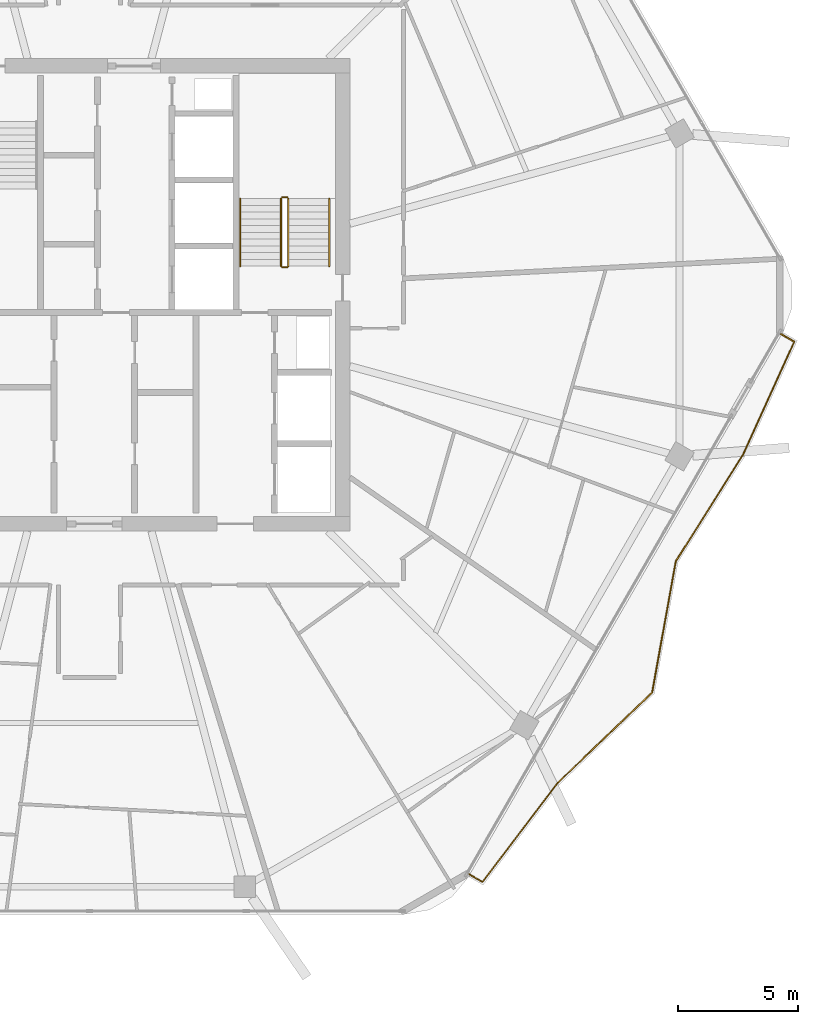
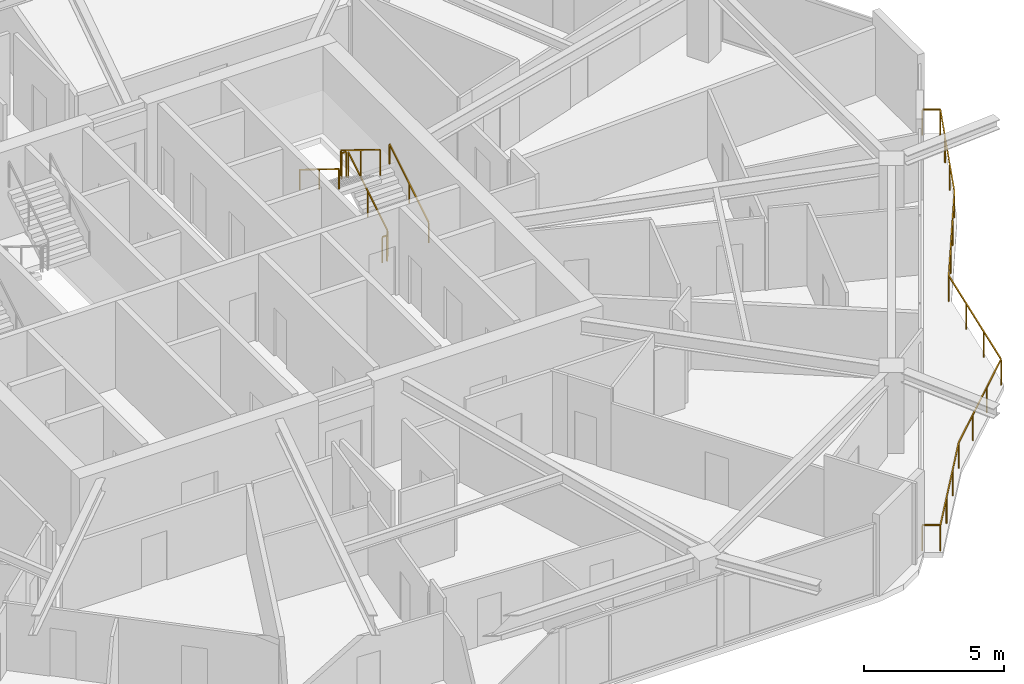
# One storey, part 24 of 25: 7 railings.
"""IFC4 building model written with IfcOpenShell, lengths in metres."""

from ifc_helpers import new_model, si_unit, direction, frame, origin, origin_2d, place, context, subcontext, project, spatial, rectangle, extrude, material, type_object, element, save


model = new_model("IFC4")

# Units and contexts
model_context = context("Model", 3, precision=1e-05, world=origin(), true_north=direction((0.0, 1.0)))
body_context = subcontext(model_context, "Body", "Model", "MODEL_VIEW")
ifc_project = project(units=[si_unit("LENGTHUNIT", "METRE"), si_unit("AREAUNIT", "SQUARE_METRE"), si_unit("VOLUMEUNIT", "CUBIC_METRE"), si_unit("PLANEANGLEUNIT", "RADIAN"), si_unit("MASSUNIT", "GRAM", prefix="KILO")], contexts=[model_context])

# Site, building, storey
site_placement = place(None, origin())
site = spatial("IfcSite", under=ifc_project, at=site_placement, CompositionType="ELEMENT")
building_placement = place(site_placement, origin())
building = spatial("IfcBuilding", under=site, at=building_placement, Name="Zuhravey Tower", CompositionType="ELEMENT")
storey_placement = place(building_placement, frame((0.0, 0.0, 257.800048828125)))
storey = spatial("IfcBuildingStorey", under=building, at=storey_placement, Name="L65", CompositionType="ELEMENT", Elevation=257.800048828125)

# Railings
ifc_material_1 = material(Name="Stainless steel 316 and laminated glass", Category="steel")
railing_type_1 = type_object("IfcRailingType", Name="Balcony & Terrace Guardrail 1150", PredefinedType="BALUSTRADE", material=ifc_material_1)
railing_1_placement = place(storey_placement, frame((64.68310546875, 30.38330078125, 0.0)))
element("IfcRailing", 1, at=railing_1_placement, inside=storey, type_object=railing_type_1, Name="L65 Face 6 Wave Balcony Guardrail GR1", PredefinedType="BALUSTRADE", context=body_context, shape_type="SweptSolid", body=[
    extrude(rectangle(XDim=0.048095703125, YDim=0.048095703125, at=origin_2d()), frame((0.001708984375, -0.0009765625, 1.1259765625), z_axis=(0.866060399857, -0.499939380126, 0.0), x_axis=(0.499939380126, 0.866060399857, 0.0)), (0.0, 0.0, 1.0), 0.6455078125),
    extrude(rectangle(XDim=0.048095703125, YDim=0.048095703125, at=origin_2d()), frame((0.561767578125, -0.326416015625, 1.1259765625), z_axis=(-0.413044740451, -0.910710734748, 0.0), x_axis=(0.910710734748, -0.413044740451, 0.0)), (0.0, 0.0, 1.0), 5.14013671875),
    extrude(rectangle(XDim=0.048095703125, YDim=0.048095703125, at=origin_2d()), frame((-1.563232421875, -5.01123046875, 1.1259765625), z_axis=(-0.533475091044, -0.84581577618, 0.0), x_axis=(0.84581577618, -0.533475091044, 0.0)), (0.0, 0.0, 1.0), 5.229248046875),
    extrude(rectangle(XDim=0.048095703125, YDim=0.048095703125, at=origin_2d()), frame((-4.354248046875, -9.437744140625, 1.1259765625), z_axis=(-0.177599400422, -0.984102867067, 0.0), x_axis=(0.984102867067, -0.177599400422, 0.0)), (0.0, 0.0, 1.0), 5.5263671875),
    extrude(rectangle(XDim=0.048095703125, YDim=0.048095703125, at=origin_2d()), frame((-5.337646484375, -14.879638671875, 1.1259765625), z_axis=(-0.722352622095, -0.69152490147, 0.0), x_axis=(0.69152490147, -0.722352622095, 0.0)), (0.0, 0.0, 1.0), 5.405029296875),
    extrude(rectangle(XDim=0.048095703125, YDim=0.048095703125, at=origin_2d()), frame((-9.24462890625, -18.620361328125, 1.1259765625), z_axis=(-0.605132278271, -0.796124943583, 0.0), x_axis=(0.796124943583, -0.605132278271, 0.0)), (0.0, 0.0, 1.0), 5.17431640625),
    extrude(rectangle(XDim=0.048095703125, YDim=0.048095703125, at=origin_2d()), frame((-12.378662109375, -22.740234375, 1.1259765625), z_axis=(-0.865998449813, 0.500046682742, 0.0), x_axis=(-0.500046682742, -0.865998449813, 0.0)), (0.0, 0.0, 1.0), 0.647705078125),
    extrude(rectangle(XDim=0.0419921875, YDim=0.0419921875, at=origin_2d()), origin(), (0.0, 0.0, 1.0), 1.099853515625),
    extrude(rectangle(XDim=0.0419921875, YDim=0.0419921875, at=origin_2d()), frame((0.5625, -0.32470703125, 0.0)), (0.0, 0.0, 1.0), 1.099853515625),
    extrude(rectangle(XDim=0.0419921875, YDim=0.0419921875, at=origin_2d()), frame((-0.145751953125, -1.88623046875, 0.0)), (0.0, 0.0, 1.0), 1.099853515625),
    extrude(rectangle(XDim=0.0419921875, YDim=0.0419921875, at=origin_2d()), frame((-0.85400390625, -3.447998046875, 0.0)), (0.0, 0.0, 1.0), 1.099853515625),
    extrude(rectangle(XDim=0.0419921875, YDim=0.0419921875, at=origin_2d()), frame((-1.562255859375, -5.009521484375, 0.0)), (0.0, 0.0, 1.0), 1.099853515625),
    extrude(rectangle(XDim=0.0419921875, YDim=0.0419921875, at=origin_2d()), frame((-2.492919921875, -6.48486328125, 0.0)), (0.0, 0.0, 1.0), 1.099853515625),
    extrude(rectangle(XDim=0.0419921875, YDim=0.0419921875, at=origin_2d()), frame((-3.42333984375, -7.96044921875, 0.0)), (0.0, 0.0, 1.0), 1.099853515625),
    extrude(rectangle(XDim=0.0419921875, YDim=0.0419921875, at=origin_2d()), frame((-4.35400390625, -9.435791015625, 0.0)), (0.0, 0.0, 1.0), 1.099853515625),
    extrude(rectangle(XDim=0.0419921875, YDim=0.0419921875, at=origin_2d()), frame((-4.681396484375, -11.25, 0.0)), (0.0, 0.0, 1.0), 1.099853515625),
    extrude(rectangle(XDim=0.0419921875, YDim=0.0419921875, at=origin_2d()), frame((-5.0087890625, -13.06396484375, 0.0)), (0.0, 0.0, 1.0), 1.099853515625),
    extrude(rectangle(XDim=0.0419921875, YDim=0.0419921875, at=origin_2d()), frame((-5.336181640625, -14.878173828125, 0.0)), (0.0, 0.0, 1.0), 1.099853515625),
    extrude(rectangle(XDim=0.0419921875, YDim=0.0419921875, at=origin_2d()), frame((-6.638671875, -16.125, 0.0)), (0.0, 0.0, 1.0), 1.099853515625),
    extrude(rectangle(XDim=0.0419921875, YDim=0.0419921875, at=origin_2d()), frame((-7.94091796875, -17.371826171875, 0.0)), (0.0, 0.0, 1.0), 1.099853515625),
    extrude(rectangle(XDim=0.0419921875, YDim=0.0419921875, at=origin_2d()), frame((-9.243408203125, -18.61865234375, 0.0)), (0.0, 0.0, 1.0), 1.099853515625),
    extrude(rectangle(XDim=0.0419921875, YDim=0.0419921875, at=origin_2d()), frame((-10.287841796875, -19.992919921875, 0.0)), (0.0, 0.0, 1.0), 1.099853515625),
    extrude(rectangle(XDim=0.0419921875, YDim=0.0419921875, at=origin_2d()), frame((-11.33251953125, -21.366943359375, 0.0)), (0.0, 0.0, 1.0), 1.099853515625),
    extrude(rectangle(XDim=0.0419921875, YDim=0.0419921875, at=origin_2d()), frame((-12.376953125, -22.7412109375, 0.0)), (0.0, 0.0, 1.0), 1.099853515625),
    extrude(rectangle(XDim=0.0419921875, YDim=0.0419921875, at=origin_2d()), frame((-12.94140625, -22.415283203125, 0.0)), (0.0, 0.0, 1.0), 1.099853515625),
])
ifc_material_2 = material(Name="Brushed stainless steel", Category="steel")
railing_type_2 = type_object("IfcRailingType", Name="Stair Wall Handrail 900", PredefinedType="HANDRAIL", material=ifc_material_2)
railing_2_placement = place(storey_placement, frame((45.949951171875, 33.199951171875, 0.172607421875)))
element("IfcRailing", 2, at=railing_2_placement, inside=storey, type_object=railing_type_2, Name="L65 ST2 stair handrail 1", PredefinedType="HANDRAIL", context=body_context, shape_type="SweptSolid", body=[
    extrude(rectangle(XDim=0.048095703125, YDim=0.048095703125, at=origin_2d()), frame((0.0, 0.001708984375, 0.876953125), z_axis=(0.0, 0.851089632645, 0.525020415988), x_axis=(-1.0, 0.0, 0.0)), (0.0, 0.0, 1.0), 3.285888671875),
    extrude(rectangle(XDim=0.0419921875, YDim=0.0419921875, at=origin_2d()), origin(), (0.0, 0.0, 1.0), 0.849853515625),
    extrude(rectangle(XDim=0.0419921875, YDim=0.0419921875, at=origin_2d()), frame((0.0, 1.39990234375, 0.86376953125)), (0.0, 0.0, 1.0), 0.849853515625),
    extrude(rectangle(XDim=0.0419921875, YDim=0.0419921875, at=origin_2d()), frame((0.0, 2.800048828125, 1.727294921875)), (0.0, 0.0, 1.0), 0.849853515625),
])
railing_3_placement = place(storey_placement, frame((42.25, 36.0, 2.07275390625)))
element("IfcRailing", 3, at=railing_3_placement, inside=storey, type_object=railing_type_2, Name="L65 ST2 stair handrail 2", PredefinedType="HANDRAIL", context=body_context, shape_type="SweptSolid", body=[
    extrude(rectangle(XDim=0.048095703125, YDim=0.048095703125, at=origin_2d()), frame((0.0, -0.001708984375, 0.876953125), z_axis=(0.0, -0.851089632645, 0.525020415988), x_axis=(1.0, 0.0, 0.0)), (0.0, 0.0, 1.0), 3.285888671875),
    extrude(rectangle(XDim=0.0419921875, YDim=0.0419921875, at=origin_2d()), origin(), (0.0, 0.0, 1.0), 0.849853515625),
    extrude(rectangle(XDim=0.0419921875, YDim=0.0419921875, at=origin_2d()), frame((0.0, -1.39990234375, 0.86376953125)), (0.0, 0.0, 1.0), 0.849853515625),
    extrude(rectangle(XDim=0.0419921875, YDim=0.0419921875, at=origin_2d()), frame((0.0, -2.800048828125, 1.727294921875)), (0.0, 0.0, 1.0), 0.849853515625),
])
ifc_material_3 = material(Name="Painted tubular steel", Category="steel")
railing_type_3 = type_object("IfcRailingType", Name="Stair Well Guardrail 1150", PredefinedType="GUARDRAIL", material=ifc_material_3)
railing_4_placement = place(storey_placement, frame((44.25, 33.199951171875, 0.172607421875)))
element("IfcRailing", 4, at=railing_4_placement, inside=storey, type_object=railing_type_3, Name="L65 ST2 stair guard 1", PredefinedType="GUARDRAIL", context=body_context, shape_type="SweptSolid", body=[
    extrude(rectangle(XDim=0.048095703125, YDim=0.048095703125, at=origin_2d()), frame((0.0, 0.001708984375, 1.126953125), z_axis=(0.0, 0.851089632645, 0.525020415988), x_axis=(-1.0, 0.0, 0.0)), (0.0, 0.0, 1.0), 3.285888671875),
    extrude(rectangle(XDim=0.0419921875, YDim=0.0419921875, at=origin_2d()), origin(), (0.0, 0.0, 1.0), 1.099853515625),
    extrude(rectangle(XDim=0.0419921875, YDim=0.0419921875, at=origin_2d()), frame((0.0, 1.39990234375, 0.86376953125)), (0.0, 0.0, 1.0), 1.099853515625),
    extrude(rectangle(XDim=0.0419921875, YDim=0.0419921875, at=origin_2d()), frame((0.0, 2.800048828125, 1.727294921875)), (0.0, 0.0, 1.0), 1.099853515625),
])
railing_5_placement = place(storey_placement, frame((44.199951171875, 36.050048828125, 1.89990234375)))
element("IfcRailing", 5, at=railing_5_placement, inside=storey, type_object=railing_type_3, Name="L65 ST2 stair guard 2", PredefinedType="GUARDRAIL", context=body_context, shape_type="SweptSolid", body=[
    extrude(rectangle(XDim=0.048095703125, YDim=0.048095703125, at=origin_2d()), frame((-0.001953125, 0.0, 1.1259765625), z_axis=(-1.0, 0.0, 0.0), x_axis=(0.0, -1.0, 0.0)), (0.0, 0.0, 1.0), 0.196044921875),
    extrude(rectangle(XDim=0.0419921875, YDim=0.0419921875, at=origin_2d()), origin(), (0.0, 0.0, 1.0), 1.099853515625),
    extrude(rectangle(XDim=0.0419921875, YDim=0.0419921875, at=origin_2d()), frame((-0.199951171875, 0.0, 0.0)), (0.0, 0.0, 1.0), 1.099853515625),
])
railing_6_placement = place(storey_placement, frame((43.949951171875, 36.0, 2.07275390625)))
element("IfcRailing", 6, at=railing_6_placement, inside=storey, type_object=railing_type_3, Name="L65 ST2 stair guard 3", PredefinedType="GUARDRAIL", context=body_context, shape_type="SweptSolid", body=[
    extrude(rectangle(XDim=0.048095703125, YDim=0.048095703125, at=origin_2d()), frame((0.0, -0.001708984375, 1.126953125), z_axis=(0.0, -0.851089632645, 0.525020415988), x_axis=(1.0, 0.0, 0.0)), (0.0, 0.0, 1.0), 3.285888671875),
    extrude(rectangle(XDim=0.0419921875, YDim=0.0419921875, at=origin_2d()), origin(), (0.0, 0.0, 1.0), 1.099853515625),
    extrude(rectangle(XDim=0.0419921875, YDim=0.0419921875, at=origin_2d()), frame((0.0, -1.39990234375, 0.86376953125)), (0.0, 0.0, 1.0), 1.099853515625),
    extrude(rectangle(XDim=0.0419921875, YDim=0.0419921875, at=origin_2d()), frame((0.0, -2.800048828125, 1.727294921875)), (0.0, 0.0, 1.0), 1.099853515625),
])
railing_7_placement = place(storey_placement, frame((44.199951171875, 33.14990234375, 0.0)))
element("IfcRailing", 7, at=railing_7_placement, inside=storey, type_object=railing_type_3, Name="L65 ST2 stair guard 4", PredefinedType="GUARDRAIL", context=body_context, shape_type="SweptSolid", body=[
    extrude(rectangle(XDim=0.048095703125, YDim=0.048095703125, at=origin_2d()), frame((-0.001953125, 0.0, 1.1259765625), z_axis=(-1.0, 0.0, 0.0), x_axis=(0.0, -1.0, 0.0)), (0.0, 0.0, 1.0), 0.196044921875),
    extrude(rectangle(XDim=0.0419921875, YDim=0.0419921875, at=origin_2d()), origin(), (0.0, 0.0, 1.0), 1.099853515625),
    extrude(rectangle(XDim=0.0419921875, YDim=0.0419921875, at=origin_2d()), frame((-0.199951171875, 0.0, 0.0)), (0.0, 0.0, 1.0), 1.099853515625),
])

save(model, "model.ifc")
